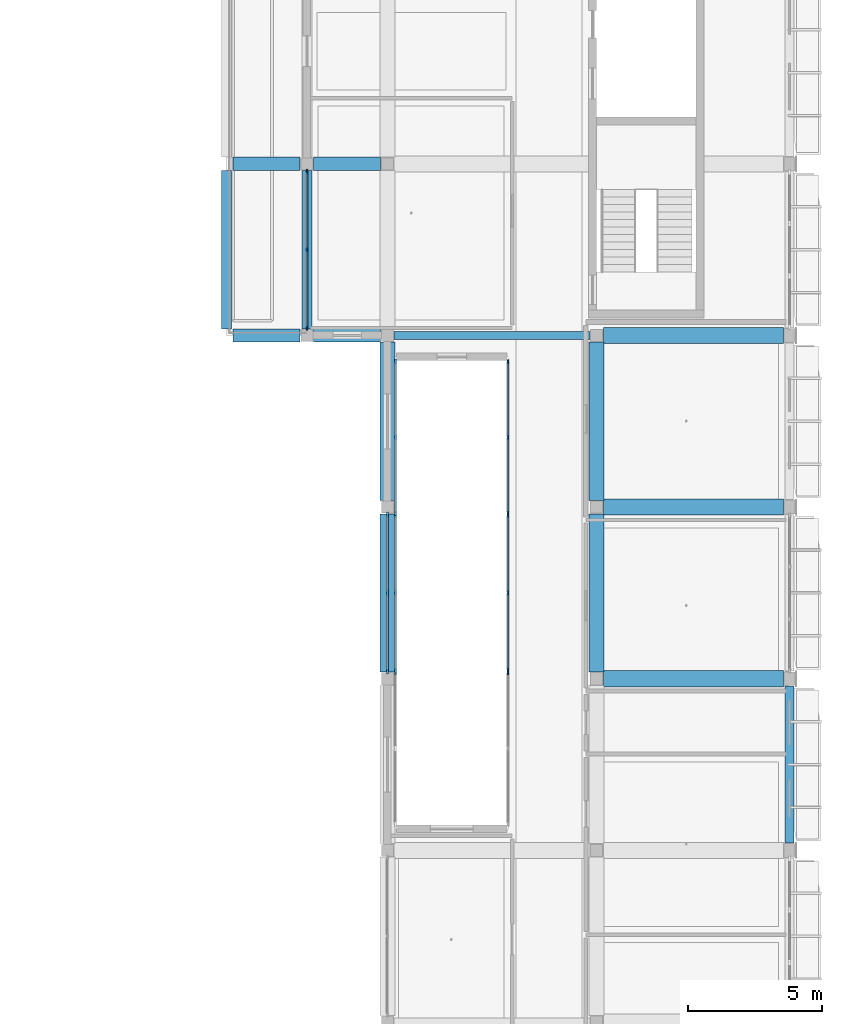
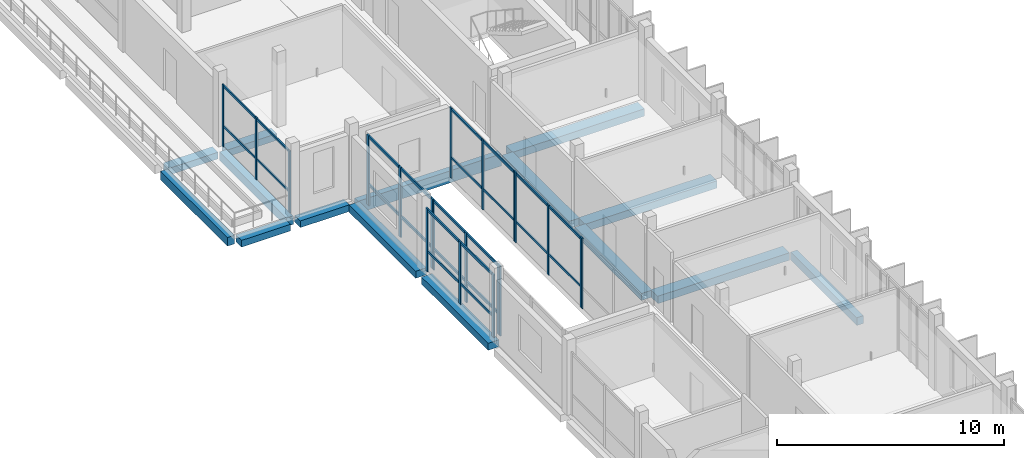
# One storey, part 32 of 86: 32 members, 15 beams, 8 elements without a shape of their own.
"""IFC4 building model written with IfcOpenShell, lengths in metres."""

from ifc_helpers import new_model, si_unit, derived_unit, direction, frame, origin, origin_2d, place, context, subcontext, project, spatial, rectangle, extrude, material, material_profile, profile_set, type_object, element, aggregate, save


model = new_model("IFC4")

# Units and contexts
model_context = context("Model", 3, precision=1e-05, world=origin(), true_north=direction((0.0, 1.0)))
body_context = subcontext(model_context, "Body", "Model", "MODEL_VIEW")
ifc_project = project(units=[si_unit("LENGTHUNIT", "METRE"), si_unit("AREAUNIT", "SQUARE_METRE"), si_unit("VOLUMEUNIT", "CUBIC_METRE"), si_unit("PLANEANGLEUNIT", "RADIAN"), si_unit("MASSUNIT", "GRAM", prefix="KILO"), derived_unit("THERMALTRANSMITTANCEUNIT", [(si_unit("POWERUNIT", "WATT"), 1), (si_unit("LENGTHUNIT", "METRE"), -2), (si_unit("THERMODYNAMICTEMPERATUREUNIT", "KELVIN"), -1)])], contexts=[model_context])

# Site, building, storey
site_placement = place(None, origin())
site = spatial("IfcSite", under=ifc_project, at=site_placement, CompositionType="ELEMENT")
building_placement = place(site_placement, origin())
building = spatial("IfcBuilding", under=site, at=building_placement, Name="Braskholm Square Health Centre", CompositionType="ELEMENT")
storey_placement = place(building_placement, frame((0.0, 0.0, 13.5)))
storey = spatial("IfcBuildingStorey", under=building, at=storey_placement, Name="L04", CompositionType="ELEMENT", Elevation=13.5)

# Curtain wall, members
ifc_material_1 = material(Name="Low-E triple insulating glass (VLT 0.64)", Category="glass")
curtain_wall_type_1 = type_object("IfcCurtainWallType", Name="UnitisedCurtainWall6200x3650", PredefinedType="NOTDEFINED", material=ifc_material_1)
curtain_wall_1_placement = place(storey_placement, origin())
curtain_wall_1 = element("IfcCurtainWall", 1, at=curtain_wall_1_placement, inside=storey, type_object=curtain_wall_type_1, Name="East Valley unitised curtain wall CW-L04-0132", PredefinedType="NOTDEFINED")
ifc_material_2 = material(Name="Architectural bronze anodised aluminium", Category="aluminium")
ifc_material_profile_1 = material_profile(ifc_material_2, rectangle(XDim=0.06494140625, YDim=0.14990234375, at=origin_2d()), Name="ALU-65X150")
ifc_profile_set_1 = profile_set([ifc_material_profile_1], Name="Architectural bronze anodised aluminium")
member_type_1 = type_object("IfcMemberType", Name="CurtainWallMullion65x150", PredefinedType="MULLION", material=ifc_profile_set_1)
member_1_placement = place(storey_placement, frame((145.800048828125, 55.12451171875, 0.0), z_axis=(0.0, 0.0, 1.0), x_axis=(1.0, 0.0, 0.0)))
member_1 = element("IfcMember", 2, at=member_1_placement, type_object=member_type_1, Name="CW-L04-0132 vertical mullion 1", PredefinedType="MULLION", context=body_context, shape_type="SweptSolid", body=[
    extrude(rectangle(XDim=0.06494140625, YDim=0.14990234375, at=origin_2d()), origin(), (0.0, 0.0, 1.0), 3.340087890625),
])
member_2_placement = place(storey_placement, frame((145.800048828125, 52.199951171875, 0.0), z_axis=(0.0, 0.0, 1.0), x_axis=(1.0, 0.0, 0.0)))
member_2 = element("IfcMember", 3, at=member_2_placement, type_object=member_type_1, Name="CW-L04-0132 vertical mullion 2", PredefinedType="MULLION", context=body_context, shape_type="SweptSolid", body=[
    extrude(rectangle(XDim=0.06494140625, YDim=0.14990234375, at=origin_2d()), origin(), (0.0, 0.0, 1.0), 3.340087890625),
])
member_3_placement = place(storey_placement, frame((145.800048828125, 49.275390625, 0.0), z_axis=(0.0, 0.0, 1.0), x_axis=(1.0, 0.0, 0.0)))
member_3 = element("IfcMember", 4, at=member_3_placement, type_object=member_type_1, Name="CW-L04-0132 vertical mullion 3", PredefinedType="MULLION", context=body_context, shape_type="SweptSolid", body=[
    extrude(rectangle(XDim=0.06494140625, YDim=0.14990234375, at=origin_2d()), origin(), (0.0, 0.0, 1.0), 3.340087890625),
])

# Curtain wall, member
curtain_wall_type_2 = type_object("IfcCurtainWallType", Name="UnitisedCurtainWall5400x3800", PredefinedType="NOTDEFINED", material=ifc_material_1)
curtain_wall_2_placement = place(storey_placement, origin())
curtain_wall_2 = element("IfcCurtainWall", 5, at=curtain_wall_2_placement, inside=storey, type_object=curtain_wall_type_2, Name="EC1 Court E unitised curtain wall CW-L04-0340", PredefinedType="NOTDEFINED")
member_4_placement = place(storey_placement, frame((153.300048828125, 36.427734375, 0.0), z_axis=(0.0, 0.0, 1.0), x_axis=(1.0, 0.0, 0.0)))
member_4 = element("IfcMember", 6, at=member_4_placement, type_object=member_type_1, Name="CW-L04-0340 vertical mullion 1", PredefinedType="MULLION", context=body_context, shape_type="SweptSolid", body=[
    extrude(rectangle(XDim=0.06494140625, YDim=0.14990234375, at=origin_2d()), origin(), (0.0, 0.0, 1.0), 3.77001953125),
])
aggregate(curtain_wall_2, [member_4])

# Curtain wall, members
curtain_wall_type_3 = type_object("IfcCurtainWallType", Name="UnitisedCurtainWall6200x3800", PredefinedType="NOTDEFINED", material=ifc_material_1)
curtain_wall_3_placement = place(storey_placement, origin())
curtain_wall_3 = element("IfcCurtainWall", 7, at=curtain_wall_3_placement, inside=storey, type_object=curtain_wall_type_3, Name="EC1 Court E unitised curtain wall CW-L04-0342", PredefinedType="NOTDEFINED")
member_5_placement = place(storey_placement, frame((153.300048828125, 42.29296875, 0.0), z_axis=(0.0, 0.0, 1.0), x_axis=(1.0, 0.0, 0.0)))
member_5 = element("IfcMember", 8, at=member_5_placement, type_object=member_type_1, Name="CW-L04-0342 vertical mullion 1", PredefinedType="MULLION", context=body_context, shape_type="SweptSolid", body=[
    extrude(rectangle(XDim=0.06494140625, YDim=0.14990234375, at=origin_2d()), origin(), (0.0, 0.0, 1.0), 3.77001953125),
])
member_6_placement = place(storey_placement, frame((153.300048828125, 39.39990234375, 0.0), z_axis=(0.0, 0.0, 1.0), x_axis=(1.0, 0.0, 0.0)))
member_6 = element("IfcMember", 9, at=member_6_placement, type_object=member_type_1, Name="CW-L04-0342 vertical mullion 2", PredefinedType="MULLION", context=body_context, shape_type="SweptSolid", body=[
    extrude(rectangle(XDim=0.06494140625, YDim=0.14990234375, at=origin_2d()), origin(), (0.0, 0.0, 1.0), 3.77001953125),
])
member_7_placement = place(storey_placement, frame((153.300048828125, 36.507080078125, 0.0), z_axis=(0.0, 0.0, 1.0), x_axis=(1.0, 0.0, 0.0)))
member_7 = element("IfcMember", 10, at=member_7_placement, type_object=member_type_1, Name="CW-L04-0342 vertical mullion 3", PredefinedType="MULLION", context=body_context, shape_type="SweptSolid", body=[
    extrude(rectangle(XDim=0.06494140625, YDim=0.14990234375, at=origin_2d()), origin(), (0.0, 0.0, 1.0), 3.77001953125),
])

curtain_wall_4_placement = place(storey_placement, origin())
curtain_wall_4 = element("IfcCurtainWall", 11, at=curtain_wall_4_placement, inside=storey, type_object=curtain_wall_type_2, Name="EC1 Court E unitised curtain wall CW-L04-0344", PredefinedType="NOTDEFINED")
member_8_placement = place(storey_placement, frame((153.300048828125, 48.025634765625, 0.0), z_axis=(0.0, 0.0, 1.0), x_axis=(1.0, 0.0, 0.0)))
member_8 = element("IfcMember", 12, at=member_8_placement, type_object=member_type_1, Name="CW-L04-0344 vertical mullion 1", PredefinedType="MULLION", context=body_context, shape_type="SweptSolid", body=[
    extrude(rectangle(XDim=0.06494140625, YDim=0.14990234375, at=origin_2d()), origin(), (0.0, 0.0, 1.0), 3.77001953125),
])
member_9_placement = place(storey_placement, frame((153.300048828125, 45.198974609375, 0.0), z_axis=(0.0, 0.0, 1.0), x_axis=(1.0, 0.0, 0.0)))
member_9 = element("IfcMember", 13, at=member_9_placement, type_object=member_type_1, Name="CW-L04-0344 vertical mullion 2", PredefinedType="MULLION", context=body_context, shape_type="SweptSolid", body=[
    extrude(rectangle(XDim=0.06494140625, YDim=0.14990234375, at=origin_2d()), origin(), (0.0, 0.0, 1.0), 3.77001953125),
])
member_10_placement = place(storey_placement, frame((153.300048828125, 42.372314453125, 0.0), z_axis=(0.0, 0.0, 1.0), x_axis=(1.0, 0.0, 0.0)))
member_10 = element("IfcMember", 14, at=member_10_placement, type_object=member_type_1, Name="CW-L04-0344 vertical mullion 3", PredefinedType="MULLION", context=body_context, shape_type="SweptSolid", body=[
    extrude(rectangle(XDim=0.06494140625, YDim=0.14990234375, at=origin_2d()), origin(), (0.0, 0.0, 1.0), 3.77001953125),
])

curtain_wall_5_placement = place(storey_placement, origin())
curtain_wall_5 = element("IfcCurtainWall", 15, at=curtain_wall_5_placement, inside=storey, type_object=curtain_wall_type_1, Name="East Valley unitised curtain wall CW-L04-0131", PredefinedType="NOTDEFINED")
ifc_material_profile_2 = material_profile(ifc_material_2, rectangle(XDim=0.074951171875, YDim=0.179931640625, at=origin_2d()), Name="ALU-75X180")
ifc_profile_set_2 = profile_set([ifc_material_profile_2], Name="Architectural bronze anodised aluminium")
member_type_2 = type_object("IfcMemberType", Name="CurtainWallMullion75x180", PredefinedType="MULLION", material=ifc_profile_set_2)
member_11_placement = place(storey_placement, frame((148.800048828125, 42.324462890625, 0.0), z_axis=(0.0, 0.0, 1.0), x_axis=(1.0, 0.0, 0.0)))
member_11 = element("IfcMember", 16, at=member_11_placement, type_object=member_type_2, Name="CW-L04-0131 vertical mullion 1", PredefinedType="MULLION", context=body_context, shape_type="SweptSolid", body=[
    extrude(rectangle(XDim=0.074951171875, YDim=0.179931640625, at=origin_2d()), origin(), (0.0, 0.0, 1.0), 3.389892578125),
])
member_12_placement = place(storey_placement, frame((148.800048828125, 39.39990234375, 0.0), z_axis=(0.0, 0.0, 1.0), x_axis=(1.0, 0.0, 0.0)))
member_12 = element("IfcMember", 17, at=member_12_placement, type_object=member_type_2, Name="CW-L04-0131 vertical mullion 2", PredefinedType="MULLION", context=body_context, shape_type="SweptSolid", body=[
    extrude(rectangle(XDim=0.074951171875, YDim=0.179931640625, at=origin_2d()), origin(), (0.0, 0.0, 1.0), 3.389892578125),
])
member_13_placement = place(storey_placement, frame((148.800048828125, 36.4755859375, 0.0), z_axis=(0.0, 0.0, 1.0), x_axis=(1.0, 0.0, 0.0)))
member_13 = element("IfcMember", 18, at=member_13_placement, type_object=member_type_2, Name="CW-L04-0131 vertical mullion 3", PredefinedType="MULLION", context=body_context, shape_type="SweptSolid", body=[
    extrude(rectangle(XDim=0.074951171875, YDim=0.179931640625, at=origin_2d()), origin(), (0.0, 0.0, 1.0), 3.389892578125),
])

# Curtain wall, member
curtain_wall_6_placement = place(storey_placement, origin())
curtain_wall_6 = element("IfcCurtainWall", 19, at=curtain_wall_6_placement, inside=storey, type_object=curtain_wall_type_2, Name="EC1 Court W unitised curtain wall CW-L04-0339", PredefinedType="NOTDEFINED")
member_14_placement = place(storey_placement, frame((149.10009765625, 36.427734375, 0.0), z_axis=(0.0, 0.0, 1.0), x_axis=(1.0, 0.0, 0.0)))
member_14 = element("IfcMember", 20, at=member_14_placement, type_object=member_type_2, Name="CW-L04-0339 vertical mullion 3", PredefinedType="MULLION", context=body_context, shape_type="SweptSolid", body=[
    extrude(rectangle(XDim=0.074951171875, YDim=0.179931640625, at=origin_2d()), origin(), (0.0, 0.0, 1.0), 3.77001953125),
])
aggregate(curtain_wall_6, [member_14])

# Curtain wall, members
curtain_wall_7_placement = place(storey_placement, origin())
curtain_wall_7 = element("IfcCurtainWall", 21, at=curtain_wall_7_placement, inside=storey, type_object=curtain_wall_type_3, Name="EC1 Court W unitised curtain wall CW-L04-0341", PredefinedType="NOTDEFINED")
member_15_placement = place(storey_placement, frame((149.10009765625, 36.507080078125, 0.0), z_axis=(0.0, 0.0, 1.0), x_axis=(1.0, 0.0, 0.0)))
member_15 = element("IfcMember", 22, at=member_15_placement, type_object=member_type_2, Name="CW-L04-0341 vertical mullion 1", PredefinedType="MULLION", context=body_context, shape_type="SweptSolid", body=[
    extrude(rectangle(XDim=0.074951171875, YDim=0.179931640625, at=origin_2d()), origin(), (0.0, 0.0, 1.0), 3.77001953125),
])
member_16_placement = place(storey_placement, frame((149.10009765625, 39.39990234375, 0.0), z_axis=(0.0, 0.0, 1.0), x_axis=(1.0, 0.0, 0.0)))
member_16 = element("IfcMember", 23, at=member_16_placement, type_object=member_type_2, Name="CW-L04-0341 vertical mullion 2", PredefinedType="MULLION", context=body_context, shape_type="SweptSolid", body=[
    extrude(rectangle(XDim=0.074951171875, YDim=0.179931640625, at=origin_2d()), origin(), (0.0, 0.0, 1.0), 3.77001953125),
])
member_17_placement = place(storey_placement, frame((149.10009765625, 42.29296875, 0.0), z_axis=(0.0, 0.0, 1.0), x_axis=(1.0, 0.0, 0.0)))
member_17 = element("IfcMember", 24, at=member_17_placement, type_object=member_type_2, Name="CW-L04-0341 vertical mullion 3", PredefinedType="MULLION", context=body_context, shape_type="SweptSolid", body=[
    extrude(rectangle(XDim=0.074951171875, YDim=0.179931640625, at=origin_2d()), origin(), (0.0, 0.0, 1.0), 3.77001953125),
])

curtain_wall_8_placement = place(storey_placement, origin())
curtain_wall_8 = element("IfcCurtainWall", 25, at=curtain_wall_8_placement, inside=storey, type_object=curtain_wall_type_2, Name="EC1 Court W unitised curtain wall CW-L04-0343", PredefinedType="NOTDEFINED")
member_18_placement = place(storey_placement, frame((149.10009765625, 42.372314453125, 0.0), z_axis=(0.0, 0.0, 1.0), x_axis=(1.0, 0.0, 0.0)))
member_18 = element("IfcMember", 26, at=member_18_placement, type_object=member_type_2, Name="CW-L04-0343 vertical mullion 1", PredefinedType="MULLION", context=body_context, shape_type="SweptSolid", body=[
    extrude(rectangle(XDim=0.074951171875, YDim=0.179931640625, at=origin_2d()), origin(), (0.0, 0.0, 1.0), 3.77001953125),
])
member_19_placement = place(storey_placement, frame((149.10009765625, 45.198974609375, 0.0), z_axis=(0.0, 0.0, 1.0), x_axis=(1.0, 0.0, 0.0)))
member_19 = element("IfcMember", 27, at=member_19_placement, type_object=member_type_2, Name="CW-L04-0343 vertical mullion 2", PredefinedType="MULLION", context=body_context, shape_type="SweptSolid", body=[
    extrude(rectangle(XDim=0.074951171875, YDim=0.179931640625, at=origin_2d()), origin(), (0.0, 0.0, 1.0), 3.77001953125),
])
member_20_placement = place(storey_placement, frame((149.10009765625, 48.025634765625, 0.0), z_axis=(0.0, 0.0, 1.0), x_axis=(1.0, 0.0, 0.0)))
member_20 = element("IfcMember", 28, at=member_20_placement, type_object=member_type_2, Name="CW-L04-0343 vertical mullion 3", PredefinedType="MULLION", context=body_context, shape_type="SweptSolid", body=[
    extrude(rectangle(XDim=0.074951171875, YDim=0.179931640625, at=origin_2d()), origin(), (0.0, 0.0, 1.0), 3.77001953125),
])

# Member
ifc_material_profile_3 = material_profile(ifc_material_2, rectangle(XDim=0.06494140625, YDim=0.1201171875, at=origin_2d()), Name="ALU-65X120")
ifc_profile_set_3 = profile_set([ifc_material_profile_3], Name="Architectural bronze anodised aluminium")
member_type_3 = type_object("IfcMemberType", Name="CurtainWallTransom65x120", PredefinedType="USERDEFINED", material=ifc_profile_set_3)
member_21_placement = place(storey_placement, frame((145.800048828125, 55.114990234375, 1.1201171875), z_axis=(0.0, -1.0, 0.0), x_axis=(1.0, 0.0, 0.0)))
member_21 = element("IfcMember", 29, at=member_21_placement, type_object=member_type_3, Name="CW-L04-0132 horizontal transom 1", ObjectType="TRANSOM", PredefinedType="USERDEFINED", context=body_context, shape_type="SweptSolid", body=[
    extrude(rectangle(XDim=0.06494140625, YDim=0.1201171875, at=origin_2d()), origin(), (0.0, 0.0, 1.0), 5.830078125),
])

member_22_placement = place(storey_placement, frame((145.800048828125, 55.114990234375, 3.27001953125), z_axis=(0.0, -1.0, 0.0), x_axis=(1.0, 0.0, 0.0)))
member_22 = element("IfcMember", 30, at=member_22_placement, type_object=member_type_3, Name="CW-L04-0132 horizontal transom 2", ObjectType="TRANSOM", PredefinedType="USERDEFINED", context=body_context, shape_type="SweptSolid", body=[
    extrude(rectangle(XDim=0.06494140625, YDim=0.1201171875, at=origin_2d()), origin(), (0.0, 0.0, 1.0), 5.830078125),
])

aggregate(curtain_wall_1, [member_1, member_2, member_3, member_21, member_22])

member_23_placement = place(storey_placement, frame((153.300048828125, 42.282958984375, 1.1201171875), z_axis=(0.0, -1.0, 0.0), x_axis=(1.0, 0.0, 0.0)))
member_23 = element("IfcMember", 31, at=member_23_placement, type_object=member_type_3, Name="CW-L04-0342 horizontal transom 1", ObjectType="TRANSOM", PredefinedType="USERDEFINED", context=body_context, shape_type="SweptSolid", body=[
    extrude(rectangle(XDim=0.06494140625, YDim=0.1201171875, at=origin_2d()), origin(), (0.0, 0.0, 1.0), 5.765869140625),
])

member_24_placement = place(storey_placement, frame((153.300048828125, 42.282958984375, 3.699951171875), z_axis=(0.0, -1.0, 0.0), x_axis=(1.0, 0.0, 0.0)))
member_24 = element("IfcMember", 32, at=member_24_placement, type_object=member_type_3, Name="CW-L04-0342 horizontal transom 2", ObjectType="TRANSOM", PredefinedType="USERDEFINED", context=body_context, shape_type="SweptSolid", body=[
    extrude(rectangle(XDim=0.06494140625, YDim=0.1201171875, at=origin_2d()), origin(), (0.0, 0.0, 1.0), 5.765869140625),
])

aggregate(curtain_wall_3, [member_5, member_6, member_7, member_23, member_24])

member_25_placement = place(storey_placement, frame((153.300048828125, 48.014892578125, 1.1201171875), z_axis=(0.0, -1.0, 0.0), x_axis=(1.0, 0.0, 0.0)))
member_25 = element("IfcMember", 33, at=member_25_placement, type_object=member_type_3, Name="CW-L04-0344 horizontal transom 1", ObjectType="TRANSOM", PredefinedType="USERDEFINED", context=body_context, shape_type="SweptSolid", body=[
    extrude(rectangle(XDim=0.06494140625, YDim=0.1201171875, at=origin_2d()), origin(), (0.0, 0.0, 1.0), 5.6318359375),
])

member_26_placement = place(storey_placement, frame((153.300048828125, 48.014892578125, 3.699951171875), z_axis=(0.0, -1.0, 0.0), x_axis=(1.0, 0.0, 0.0)))
member_26 = element("IfcMember", 34, at=member_26_placement, type_object=member_type_3, Name="CW-L04-0344 horizontal transom 2", ObjectType="TRANSOM", PredefinedType="USERDEFINED", context=body_context, shape_type="SweptSolid", body=[
    extrude(rectangle(XDim=0.06494140625, YDim=0.1201171875, at=origin_2d()), origin(), (0.0, 0.0, 1.0), 5.6318359375),
])

aggregate(curtain_wall_4, [member_8, member_9, member_10, member_25, member_26])

ifc_material_profile_4 = material_profile(ifc_material_2, rectangle(XDim=0.074951171875, YDim=0.139892578125, at=origin_2d()), Name="ALU-75X140")
ifc_profile_set_4 = profile_set([ifc_material_profile_4], Name="Architectural bronze anodised aluminium")
member_type_4 = type_object("IfcMemberType", Name="CurtainWallTransom75x140", PredefinedType="USERDEFINED", material=ifc_profile_set_4)
member_27_placement = place(storey_placement, frame((148.800048828125, 42.31494140625, 1.1201171875), z_axis=(0.0, -1.0, 0.0), x_axis=(1.0, 0.0, 0.0)))
member_27 = element("IfcMember", 35, at=member_27_placement, type_object=member_type_4, Name="CW-L04-0131 horizontal transom 1", ObjectType="TRANSOM", PredefinedType="USERDEFINED", context=body_context, shape_type="SweptSolid", body=[
    extrude(rectangle(XDim=0.074951171875, YDim=0.139892578125, at=origin_2d()), origin(), (0.0, 0.0, 1.0), 5.829833984375),
])

member_28_placement = place(storey_placement, frame((148.800048828125, 42.31494140625, 3.320068359375), z_axis=(0.0, -1.0, 0.0), x_axis=(1.0, 0.0, 0.0)))
member_28 = element("IfcMember", 36, at=member_28_placement, type_object=member_type_4, Name="CW-L04-0131 horizontal transom 2", ObjectType="TRANSOM", PredefinedType="USERDEFINED", context=body_context, shape_type="SweptSolid", body=[
    extrude(rectangle(XDim=0.074951171875, YDim=0.139892578125, at=origin_2d()), origin(), (0.0, 0.0, 1.0), 5.829833984375),
])

aggregate(curtain_wall_5, [member_11, member_12, member_13, member_27, member_28])

member_29_placement = place(storey_placement, frame((149.10009765625, 36.51708984375, 1.1201171875), z_axis=(0.0, 1.0, 0.0), x_axis=(-1.0, 0.0, 0.0)))
member_29 = element("IfcMember", 37, at=member_29_placement, type_object=member_type_4, Name="CW-L04-0341 horizontal transom 1", ObjectType="TRANSOM", PredefinedType="USERDEFINED", context=body_context, shape_type="SweptSolid", body=[
    extrude(rectangle(XDim=0.074951171875, YDim=0.139892578125, at=origin_2d()), origin(), (0.0, 0.0, 1.0), 5.765869140625),
])

member_30_placement = place(storey_placement, frame((149.10009765625, 36.51708984375, 3.699951171875), z_axis=(0.0, 1.0, 0.0), x_axis=(-1.0, 0.0, 0.0)))
member_30 = element("IfcMember", 38, at=member_30_placement, type_object=member_type_4, Name="CW-L04-0341 horizontal transom 2", ObjectType="TRANSOM", PredefinedType="USERDEFINED", context=body_context, shape_type="SweptSolid", body=[
    extrude(rectangle(XDim=0.074951171875, YDim=0.139892578125, at=origin_2d()), origin(), (0.0, 0.0, 1.0), 5.765869140625),
])

aggregate(curtain_wall_7, [member_15, member_16, member_17, member_29, member_30])

member_31_placement = place(storey_placement, frame((149.10009765625, 42.383056640625, 1.1201171875), z_axis=(0.0, 1.0, 0.0), x_axis=(-1.0, 0.0, 0.0)))
member_31 = element("IfcMember", 39, at=member_31_placement, type_object=member_type_4, Name="CW-L04-0343 horizontal transom 1", ObjectType="TRANSOM", PredefinedType="USERDEFINED", context=body_context, shape_type="SweptSolid", body=[
    extrude(rectangle(XDim=0.074951171875, YDim=0.139892578125, at=origin_2d()), origin(), (0.0, 0.0, 1.0), 5.6318359375),
])

member_32_placement = place(storey_placement, frame((149.10009765625, 42.383056640625, 3.699951171875), z_axis=(0.0, 1.0, 0.0), x_axis=(-1.0, 0.0, 0.0)))
member_32 = element("IfcMember", 40, at=member_32_placement, type_object=member_type_4, Name="CW-L04-0343 horizontal transom 2", ObjectType="TRANSOM", PredefinedType="USERDEFINED", context=body_context, shape_type="SweptSolid", body=[
    extrude(rectangle(XDim=0.074951171875, YDim=0.139892578125, at=origin_2d()), origin(), (0.0, 0.0, 1.0), 5.6318359375),
])

aggregate(curtain_wall_8, [member_18, member_19, member_20, member_31, member_32])

# Beams
ifc_material_3 = material(Name="Concrete C35/45 (f'c = 35 MPa)", Category="concrete")
ifc_material_profile_5 = material_profile(ifc_material_3, rectangle(XDim=0.5, YDim=0.360107421875, at=origin_2d()), Name="RCB-500X360")
ifc_profile_set_5 = profile_set([ifc_material_profile_5], Name="Concrete C35/45 (f'c = 35 MPa)")
beam_type_1 = type_object("IfcBeamType", Name="PrimaryBandBeam500x360", PredefinedType="BEAM", material=ifc_profile_set_5)
for number, where, z_axis, x_axis, name in (
    (41, (143.050048828125, 49.0, -0.429931640625), (1.0, 0.0, 0.0), (0.0, 1.0, 0.0), "Beam 18-19/H L04"),
    (42, (146.050048828125, 49.0, -0.429931640625), (1.0, 0.0, 0.0), (0.0, 1.0, 0.0), "Beam 19-20/H L04"),
    (43, (143.050048828125, 55.39990234375, -0.429931640625), (1.0, 0.0, 0.0), (0.0, 1.0, 0.0), "Beam 18-19/J L04"),
    (44, (146.050048828125, 55.39990234375, -0.47998046875), (1.0, 0.0, 0.0), (0.0, 1.0, 0.0), "Beam 19-20/J L04"),
):
    element("IfcBeam", number, at=place(storey_placement, frame(where, z_axis=z_axis, x_axis=x_axis)), inside=storey, type_object=beam_type_1, Name=name, PredefinedType="BEAM", context=body_context, shape_type="SweptSolid", body=[
        extrude(rectangle(XDim=0.5, YDim=0.360107421875, at=origin_2d()), origin(), (0.0, 0.0, 1.0), 2.5),
    ])
ifc_material_profile_6 = material_profile(ifc_material_3, rectangle(XDim=0.550048828125, YDim=0.3798828125, at=origin_2d()), Name="RCB-550X380")
ifc_profile_set_6 = profile_set([ifc_material_profile_6], Name="Concrete C35/45 (f'c = 35 MPa)")
beam_type_2 = type_object("IfcBeamType", Name="PrimaryBandBeam550x380", PredefinedType="BEAM", material=ifc_profile_set_6)
beam_1_placement = place(storey_placement, frame((148.800048828125, 36.449951171875, -0.43994140625), z_axis=(0.0, 1.0, 0.0), x_axis=(-1.0, 0.0, 0.0)))
element("IfcBeam", 45, at=beam_1_placement, inside=storey, type_object=beam_type_2, Name="Beam 20/F-G L04", PredefinedType="BEAM", context=body_context, shape_type="SweptSolid", body=[
    extrude(rectangle(XDim=0.550048828125, YDim=0.3798828125, at=origin_2d()), origin(), (0.0, 0.0, 1.0), 5.900146484375),
])
beam_2_placement = place(storey_placement, frame((148.800048828125, 42.85009765625, -0.43994140625), z_axis=(0.0, 1.0, 0.0), x_axis=(-1.0, 0.0, 0.0)))
element("IfcBeam", 46, at=beam_2_placement, inside=storey, type_object=beam_type_2, Name="Beam 20/G-H L04", PredefinedType="BEAM", context=body_context, shape_type="SweptSolid", body=[
    extrude(rectangle(XDim=0.550048828125, YDim=0.3798828125, at=origin_2d()), origin(), (0.0, 0.0, 1.0), 5.89990234375),
])
beam_3_placement = place(storey_placement, frame((156.60009765625, 36.449951171875, -0.489990234375), z_axis=(0.0, 1.0, 0.0), x_axis=(-1.0, 0.0, 0.0)))
element("IfcBeam", 47, at=beam_3_placement, inside=storey, type_object=beam_type_2, Name="Beam 21/F-G L04", PredefinedType="BEAM", context=body_context, shape_type="SweptSolid", body=[
    extrude(rectangle(XDim=0.550048828125, YDim=0.3798828125, at=origin_2d()), origin(), (0.0, 0.0, 1.0), 5.900146484375),
])
beam_4_placement = place(storey_placement, frame((156.60009765625, 42.85009765625, -0.489990234375), z_axis=(0.0, 1.0, 0.0), x_axis=(-1.0, 0.0, 0.0)))
element("IfcBeam", 48, at=beam_4_placement, inside=storey, type_object=beam_type_2, Name="Beam 21/G-H L04", PredefinedType="BEAM", context=body_context, shape_type="SweptSolid", body=[
    extrude(rectangle(XDim=0.550048828125, YDim=0.3798828125, at=origin_2d()), origin(), (0.0, 0.0, 1.0), 5.89990234375),
])
ifc_material_profile_7 = material_profile(ifc_material_3, rectangle(XDim=0.60009765625, YDim=0.39990234375, at=origin_2d()), Name="RCB-600X400")
ifc_profile_set_7 = profile_set([ifc_material_profile_7], Name="Concrete C35/45 (f'c = 35 MPa)")
beam_type_3 = type_object("IfcBeamType", Name="PrimaryBandBeam600x400", PredefinedType="BEAM", material=ifc_profile_set_7)
for number, where, z_axis, x_axis, name in (
    (49, (156.85009765625, 36.199951171875, -0.5), (1.0, 0.0, 0.0), (0.0, 1.0, 0.0), "Beam 21-22/F L04"),
    (50, (156.85009765625, 42.60009765625, -0.5), (1.0, 0.0, 0.0), (0.0, 1.0, 0.0), "Beam 21-22/G L04"),
    (51, (156.85009765625, 49.0, -0.5), (1.0, 0.0, 0.0), (0.0, 1.0, 0.0), "Beam 21-22/H L04"),
):
    element("IfcBeam", number, at=place(storey_placement, frame(where, z_axis=z_axis, x_axis=x_axis)), inside=storey, type_object=beam_type_3, Name=name, PredefinedType="BEAM", context=body_context, shape_type="SweptSolid", body=[
        extrude(rectangle(XDim=0.60009765625, YDim=0.39990234375, at=origin_2d()), origin(), (0.0, 0.0, 1.0), 6.719970703125),
    ])
ifc_material_4 = material(Name="Concrete C40/50 (f'c = 40 MPa)", Category="concrete")
ifc_material_profile_8 = material_profile(ifc_material_4, rectangle(XDim=0.300048828125, YDim=0.64990234375, at=origin_2d()), Name="RCB-300X650")
ifc_profile_set_8 = profile_set([ifc_material_profile_8], Name="Concrete C40/50 (f'c = 40 MPa)")
beam_type_4 = type_object("IfcBeamType", Name="PrimaryCoreCoupling300x650", PredefinedType="BEAM", material=ifc_profile_set_8)
beam_5_placement = place(storey_placement, frame((149.050048828125, 49.0, -0.625), z_axis=(1.0, 0.0, 0.0), x_axis=(0.0, 1.0, 0.0)))
element("IfcBeam", 52, at=beam_5_placement, inside=storey, type_object=beam_type_4, Name="Beam 20-21/H L04", PredefinedType="BEAM", context=body_context, shape_type="SweptSolid", body=[
    extrude(rectangle(XDim=0.300048828125, YDim=0.64990234375, at=origin_2d()), origin(), (0.0, 0.0, 1.0), 7.300048828125),
])
ifc_material_5 = material(Name="Precast concrete C40/50 architectural white", Category="concrete")
ifc_material_profile_9 = material_profile(ifc_material_5, rectangle(XDim=0.340087890625, YDim=0.419921875, at=origin_2d()), Name="RCB-340X420")
ifc_profile_set_9 = profile_set([ifc_material_profile_9], Name="Precast concrete C40/50 architectural white")
beam_type_5 = type_object("IfcBeamType", Name="SpandrelCrownEdge340x420", PredefinedType="SPANDREL", material=ifc_profile_set_9)
beam_6_placement = place(storey_placement, frame((163.800048828125, 30.080078125, -0.510009765625), z_axis=(0.0, 1.0, 0.0), x_axis=(-1.0, 0.0, 0.0)))
element("IfcBeam", 53, at=beam_6_placement, inside=storey, type_object=beam_type_5, Name="Beam 22/E-F L04", PredefinedType="SPANDREL", context=body_context, shape_type="SweptSolid", body=[
    extrude(rectangle(XDim=0.340087890625, YDim=0.419921875, at=origin_2d()), origin(), (0.0, 0.0, 1.0), 5.83984375),
])
ifc_material_profile_10 = material_profile(ifc_material_5, rectangle(XDim=0.360107421875, YDim=0.4599609375, at=origin_2d()), Name="RCB-360X460")
ifc_profile_set_10 = profile_set([ifc_material_profile_10], Name="Precast concrete C40/50 architectural white")
beam_type_6 = type_object("IfcBeamType", Name="SpandrelTerraceEdge360x460", PredefinedType="SPANDREL", material=ifc_profile_set_10)
for number, where, z_axis, x_axis, name in (
    (54, (142.800048828125, 49.25, -0.47998046875), (0.0, 1.0, 0.0), (-1.0, 0.0, 0.0), "Beam 18/H-J L04"),
    (55, (145.800048828125, 49.25, -0.47998046875), (0.0, 1.0, 0.0), (-1.0, 0.0, 0.0), "Beam 19/H-J L04"),
):
    element("IfcBeam", number, at=place(storey_placement, frame(where, z_axis=z_axis, x_axis=x_axis)), inside=storey, type_object=beam_type_6, Name=name, PredefinedType="SPANDREL", context=body_context, shape_type="SweptSolid", body=[
        extrude(rectangle(XDim=0.360107421875, YDim=0.4599609375, at=origin_2d()), origin(), (0.0, 0.0, 1.0), 5.89990234375),
    ])

save(model, "model.ifc")
